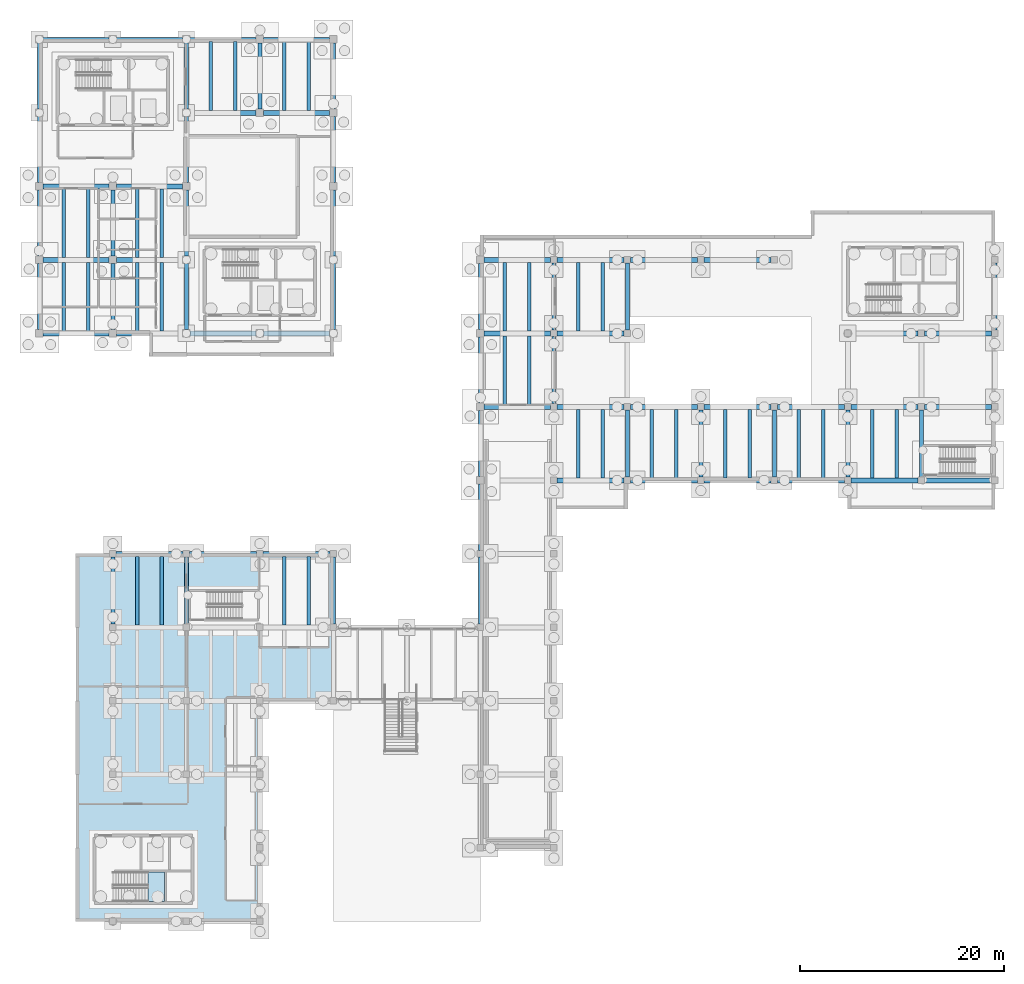
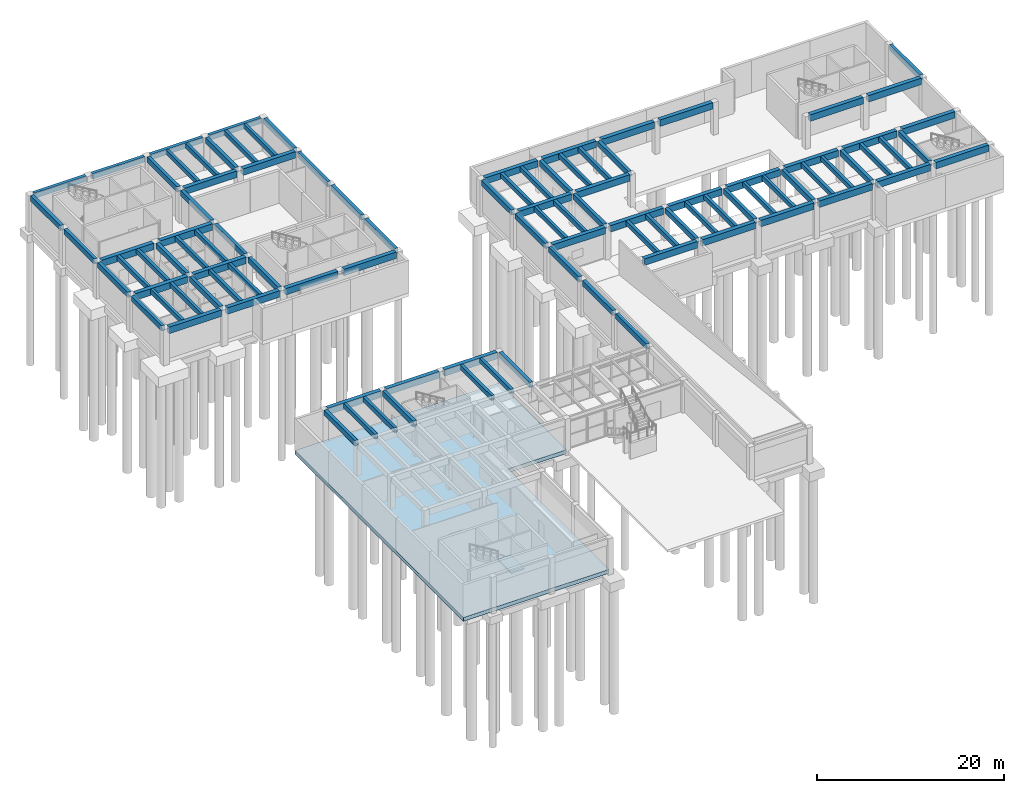
# One storey, part 15 of 28: 102 beams, 2 slabs, 1 element without a shape of its own.
"""IFC4 building model written with IfcOpenShell, lengths in metres."""

from ifc_helpers import new_model, si_unit, direction, frame, origin, origin_2d, place, context, subcontext, project, spatial, polyline, rectangle, outline, extrude, material, layer, layer_set, material_profile, profile_set, type_object, element, aggregate, save


model = new_model("IFC4")

# Units and contexts
model_context = context("Model", 3, precision=1e-05, world=origin(), true_north=direction((0.0, 1.0)))
body_context = subcontext(model_context, "Body", "Model", "MODEL_VIEW")
ifc_project = project(units=[si_unit("LENGTHUNIT", "METRE"), si_unit("AREAUNIT", "SQUARE_METRE"), si_unit("VOLUMEUNIT", "CUBIC_METRE"), si_unit("PLANEANGLEUNIT", "RADIAN"), si_unit("MASSUNIT", "GRAM", prefix="KILO")], contexts=[model_context])

# Site, building, storey
site_placement = place(None, origin())
site = spatial("IfcSite", under=ifc_project, at=site_placement, CompositionType="ELEMENT")
building_placement = place(site_placement, origin())
building = spatial("IfcBuilding", under=site, at=building_placement, Name="Bramvelor Terrace Health Centre", CompositionType="ELEMENT")
storey_placement = place(building_placement, frame((0.0, 0.0, -4.5)))
storey = spatial("IfcBuildingStorey", under=building, at=storey_placement, Name="B1", CompositionType="ELEMENT", Elevation=-4.5)

# Beams
ifc_material_1 = material(Name="Concrete C40/50", Category="concrete")
ifc_material_profile_1 = material_profile(ifc_material_1, rectangle(XDim=0.39990234375, YDim=0.699951171875, at=origin_2d()), Name="RC 400x700")
ifc_profile_set_1 = profile_set([ifc_material_profile_1], Name="Concrete C40/50")
beam_type_1 = type_object("IfcBeamType", Name="BM-RC-G700", PredefinedType="BEAM", material=ifc_profile_set_1)
beam_1_placement = place(storey_placement, frame((7.199951171875, 57.925048828125, 3.89990234375), z_axis=(0.0, 1.0, 0.0), x_axis=(-1.0, 0.0, 0.0)))
element("IfcBeam", 1, at=beam_1_placement, inside=storey, type_object=beam_type_1, Name="B1 Floor Girder", PredefinedType="BEAM", context=body_context, shape_type="SweptSolid", body=[
    extrude(rectangle(XDim=0.39990234375, YDim=0.699951171875, at=origin_2d()), origin(), (0.0, 0.0, 1.0), 6.550048828125),
])
beam_2_placement = place(storey_placement, frame((7.199951171875, 86.77490234375, 3.89990234375), z_axis=(0.0, 1.0, 0.0), x_axis=(-1.0, 0.0, 0.0)))
element("IfcBeam", 2, at=beam_2_placement, inside=storey, type_object=beam_type_1, Name="B1 Floor Girder", PredefinedType="BEAM", context=body_context, shape_type="SweptSolid", body=[
    extrude(rectangle(XDim=0.39990234375, YDim=0.699951171875, at=origin_2d()), origin(), (0.0, 0.0, 1.0), 6.4501953125),
])
beam_3_placement = place(storey_placement, frame((7.199951171875, 93.97509765625, 3.89990234375), z_axis=(0.0, 1.0, 0.0), x_axis=(-1.0, 0.0, 0.0)))
element("IfcBeam", 3, at=beam_3_placement, inside=storey, type_object=beam_type_1, Name="B1 Floor Girder", PredefinedType="BEAM", context=body_context, shape_type="SweptSolid", body=[
    extrude(rectangle(XDim=0.39990234375, YDim=0.699951171875, at=origin_2d()), origin(), (0.0, 0.0, 1.0), 6.449951171875),
])
beam_4_placement = place(storey_placement, frame((14.39990234375, 57.925048828125, 3.89990234375), z_axis=(0.0, 1.0, 0.0), x_axis=(-1.0, 0.0, 0.0)))
element("IfcBeam", 4, at=beam_4_placement, inside=storey, type_object=beam_type_1, Name="B1 Floor Girder", PredefinedType="BEAM", context=body_context, shape_type="SweptSolid", body=[
    extrude(rectangle(XDim=0.39990234375, YDim=0.699951171875, at=origin_2d()), origin(), (0.0, 0.0, 1.0), 6.550048828125),
])
beam_5_placement = place(storey_placement, frame((14.39990234375, 86.77490234375, 3.89990234375), z_axis=(0.0, 1.0, 0.0), x_axis=(-1.0, 0.0, 0.0)))
element("IfcBeam", 5, at=beam_5_placement, inside=storey, type_object=beam_type_1, Name="B1 Floor Girder", PredefinedType="BEAM", context=body_context, shape_type="SweptSolid", body=[
    extrude(rectangle(XDim=0.39990234375, YDim=0.699951171875, at=origin_2d()), origin(), (0.0, 0.0, 1.0), 6.4501953125),
])
for number, where, z_axis, x_axis, name in (
    (6, (14.39990234375, 93.97509765625, 3.89990234375), (0.0, 1.0, 0.0), (-1.0, 0.0, 0.0), "B1 Floor Girder"),
    (7, (14.39990234375, 101.175048828125, 3.89990234375), (0.0, 1.0, 0.0), (-1.0, 0.0, 0.0), "B1 Floor Girder"),
    (8, (14.39990234375, 108.375, 3.89990234375), (0.0, 1.0, 0.0), (-1.0, 0.0, 0.0), "B1 Floor Girder"),
    (9, (21.60009765625, 108.375, 3.89990234375), (0.0, 1.0, 0.0), (-1.0, 0.0, 0.0), "B1 Floor Girder"),
):
    element("IfcBeam", number, at=place(storey_placement, frame(where, z_axis=z_axis, x_axis=x_axis)), inside=storey, type_object=beam_type_1, Name=name, PredefinedType="BEAM", context=body_context, shape_type="SweptSolid", body=[
        extrude(rectangle(XDim=0.39990234375, YDim=0.699951171875, at=origin_2d()), origin(), (0.0, 0.0, 1.0), 6.449951171875),
    ])
beam_6_placement = place(storey_placement, frame((28.800048828125, 57.925048828125, 3.89990234375), z_axis=(0.0, 1.0, 0.0), x_axis=(-1.0, 0.0, 0.0)))
element("IfcBeam", 10, at=beam_6_placement, inside=storey, type_object=beam_type_1, Name="B1 Floor Girder", PredefinedType="BEAM", context=body_context, shape_type="SweptSolid", body=[
    extrude(rectangle(XDim=0.39990234375, YDim=0.699951171875, at=origin_2d()), origin(), (0.0, 0.0, 1.0), 6.550048828125),
])
beam_7_placement = place(storey_placement, frame((28.800048828125, 86.77490234375, 3.89990234375), z_axis=(0.0, 1.0, 0.0), x_axis=(-1.0, 0.0, 0.0)))
element("IfcBeam", 11, at=beam_7_placement, inside=storey, type_object=beam_type_1, Name="B1 Floor Girder", PredefinedType="BEAM", context=body_context, shape_type="SweptSolid", body=[
    extrude(rectangle(XDim=0.39990234375, YDim=0.699951171875, at=origin_2d()), origin(), (0.0, 0.0, 1.0), 6.4501953125),
])
for number, where, z_axis, x_axis, name in (
    (12, (28.800048828125, 93.97509765625, 3.89990234375), (0.0, 1.0, 0.0), (-1.0, 0.0, 0.0), "B1 Floor Girder"),
    (13, (28.800048828125, 101.175048828125, 3.89990234375), (0.0, 1.0, 0.0), (-1.0, 0.0, 0.0), "B1 Floor Girder"),
    (14, (28.800048828125, 108.375, 3.89990234375), (0.0, 1.0, 0.0), (-1.0, 0.0, 0.0), "B1 Floor Girder"),
):
    element("IfcBeam", number, at=place(storey_placement, frame(where, z_axis=z_axis, x_axis=x_axis)), inside=storey, type_object=beam_type_1, Name=name, PredefinedType="BEAM", context=body_context, shape_type="SweptSolid", body=[
        extrude(rectangle(XDim=0.39990234375, YDim=0.699951171875, at=origin_2d()), origin(), (0.0, 0.0, 1.0), 6.449951171875),
    ])
beam_8_placement = place(storey_placement, frame((43.199951171875, 57.925048828125, 3.89990234375), z_axis=(0.0, 1.0, 0.0), x_axis=(-1.0, 0.0, 0.0)))
element("IfcBeam", 15, at=beam_8_placement, inside=storey, type_object=beam_type_1, Name="B1 Floor Girder", PredefinedType="BEAM", context=body_context, shape_type="SweptSolid", body=[
    extrude(rectangle(XDim=0.39990234375, YDim=0.699951171875, at=origin_2d()), origin(), (0.0, 0.0, 1.0), 6.550048828125),
])
beam_9_placement = place(storey_placement, frame((43.199951171875, 65.125, 3.89990234375), z_axis=(0.0, 1.0, 0.0), x_axis=(-1.0, 0.0, 0.0)))
element("IfcBeam", 16, at=beam_9_placement, inside=storey, type_object=beam_type_1, Name="B1 Floor Girder", PredefinedType="BEAM", context=body_context, shape_type="SweptSolid", body=[
    extrude(rectangle(XDim=0.39990234375, YDim=0.699951171875, at=origin_2d()), origin(), (0.0, 0.0, 1.0), 6.5),
])
for number, where, z_axis, x_axis, name in (
    (17, (43.199951171875, 72.375, 3.89990234375), (0.0, 1.0, 0.0), (-1.0, 0.0, 0.0), "B1 Floor Girder"),
    (18, (43.199951171875, 79.574951171875, 3.89990234375), (0.0, 1.0, 0.0), (-1.0, 0.0, 0.0), "B1 Floor Girder"),
):
    element("IfcBeam", number, at=place(storey_placement, frame(where, z_axis=z_axis, x_axis=x_axis)), inside=storey, type_object=beam_type_1, Name=name, PredefinedType="BEAM", context=body_context, shape_type="SweptSolid", body=[
        extrude(rectangle(XDim=0.39990234375, YDim=0.699951171875, at=origin_2d()), origin(), (0.0, 0.0, 1.0), 6.449951171875),
    ])
beam_10_placement = place(storey_placement, frame((43.199951171875, 86.77490234375, 3.89990234375), z_axis=(0.0, 1.0, 0.0), x_axis=(-1.0, 0.0, 0.0)))
element("IfcBeam", 19, at=beam_10_placement, inside=storey, type_object=beam_type_1, Name="B1 Floor Girder", PredefinedType="BEAM", context=body_context, shape_type="SweptSolid", body=[
    extrude(rectangle(XDim=0.39990234375, YDim=0.699951171875, at=origin_2d()), origin(), (0.0, 0.0, 1.0), 6.4501953125),
])
beam_11_placement = place(storey_placement, frame((50.39990234375, 79.52490234375, 3.89990234375), z_axis=(0.0, 1.0, 0.0), x_axis=(-1.0, 0.0, 0.0)))
element("IfcBeam", 20, at=beam_11_placement, inside=storey, type_object=beam_type_1, Name="B1 Floor Girder", PredefinedType="BEAM", context=body_context, shape_type="SweptSolid", body=[
    extrude(rectangle(XDim=0.39990234375, YDim=0.699951171875, at=origin_2d()), origin(), (0.0, 0.0, 1.0), 6.550048828125),
])
beam_12_placement = place(storey_placement, frame((50.39990234375, 86.72509765625, 3.89990234375), z_axis=(0.0, 1.0, 0.0), x_axis=(-1.0, 0.0, 0.0)))
element("IfcBeam", 21, at=beam_12_placement, inside=storey, type_object=beam_type_1, Name="B1 Floor Girder", PredefinedType="BEAM", context=body_context, shape_type="SweptSolid", body=[
    extrude(rectangle(XDim=0.39990234375, YDim=0.699951171875, at=origin_2d()), origin(), (0.0, 0.0, 1.0), 6.5498046875),
])
beam_13_placement = place(storey_placement, frame((57.60009765625, 72.324951171875, 3.89990234375), z_axis=(0.0, 1.0, 0.0), x_axis=(-1.0, 0.0, 0.0)))
element("IfcBeam", 22, at=beam_13_placement, inside=storey, type_object=beam_type_1, Name="B1 Floor Girder", PredefinedType="BEAM", context=body_context, shape_type="SweptSolid", body=[
    extrude(rectangle(XDim=0.39990234375, YDim=0.699951171875, at=origin_2d()), origin(), (0.0, 0.0, 1.0), 6.550048828125),
])
beam_14_placement = place(storey_placement, frame((57.60009765625, 86.72509765625, 3.89990234375), z_axis=(0.0, 1.0, 0.0), x_axis=(-1.0, 0.0, 0.0)))
element("IfcBeam", 23, at=beam_14_placement, inside=storey, type_object=beam_type_1, Name="B1 Floor Girder", PredefinedType="BEAM", context=body_context, shape_type="SweptSolid", body=[
    extrude(rectangle(XDim=0.39990234375, YDim=0.699951171875, at=origin_2d()), origin(), (0.0, 0.0, 1.0), 6.5498046875),
])
for number, where, z_axis, x_axis, name in (
    (24, (64.800048828125, 72.324951171875, 3.89990234375), (0.0, 1.0, 0.0), (-1.0, 0.0, 0.0), "B1 Floor Girder"),
    (25, (72.0, 72.324951171875, 3.89990234375), (0.0, 1.0, 0.0), (-1.0, 0.0, 0.0), "B1 Floor Girder"),
    (26, (79.199951171875, 72.324951171875, 3.89990234375), (0.0, 1.0, 0.0), (-1.0, 0.0, 0.0), "B1 Floor Girder"),
    (27, (86.39990234375, 72.324951171875, 3.89990234375), (0.0, 1.0, 0.0), (-1.0, 0.0, 0.0), "B1 Floor Girder"),
):
    element("IfcBeam", number, at=place(storey_placement, frame(where, z_axis=z_axis, x_axis=x_axis)), inside=storey, type_object=beam_type_1, Name=name, PredefinedType="BEAM", context=body_context, shape_type="SweptSolid", body=[
        extrude(rectangle(XDim=0.39990234375, YDim=0.699951171875, at=origin_2d()), origin(), (0.0, 0.0, 1.0), 6.550048828125),
    ])
beam_15_placement = place(storey_placement, frame((93.60009765625, 86.72509765625, 3.89990234375), z_axis=(0.0, 1.0, 0.0), x_axis=(-1.0, 0.0, 0.0)))
element("IfcBeam", 28, at=beam_15_placement, inside=storey, type_object=beam_type_1, Name="B1 Floor Girder", PredefinedType="BEAM", context=body_context, shape_type="SweptSolid", body=[
    extrude(rectangle(XDim=0.39990234375, YDim=0.699951171875, at=origin_2d()), origin(), (0.0, 0.0, 1.0), 6.5498046875),
])
ifc_material_2 = material(Name="Concrete C40/50", Category="concrete")
ifc_material_profile_2 = material_profile(ifc_material_2, rectangle(XDim=0.5, YDim=0.85009765625, at=origin_2d()), Name="RC 500x850")
ifc_profile_set_2 = profile_set([ifc_material_profile_2], Name="Concrete C40/50")
beam_type_2 = type_object("IfcBeamType", Name="BM-RC-G850", PredefinedType="BEAM", material=ifc_profile_set_2)
for number, where, z_axis, x_axis, name in (
    (29, (0.375, 86.39990234375, 3.824951171875), (1.0, 0.0, 0.0), (0.0, 1.0, 0.0), "B1 Floor Girder"),
    (30, (0.375, 93.60009765625, 3.824951171875), (1.0, 0.0, 0.0), (0.0, 1.0, 0.0), "B1 Floor Girder"),
    (31, (0.375, 100.800048828125, 3.824951171875), (1.0, 0.0, 0.0), (0.0, 1.0, 0.0), "B1 Floor Girder"),
):
    element("IfcBeam", number, at=place(storey_placement, frame(where, z_axis=z_axis, x_axis=x_axis)), inside=storey, type_object=beam_type_2, Name=name, PredefinedType="BEAM", context=body_context, shape_type="SweptSolid", body=[
        extrude(rectangle(XDim=0.5, YDim=0.85009765625, at=origin_2d()), origin(), (0.0, 0.0, 1.0), 6.449951171875),
    ])
beam_16_placement = place(storey_placement, frame((7.52490234375, 64.800048828125, 3.824951171875), z_axis=(1.0, 0.0, 0.0), x_axis=(0.0, 1.0, 0.0)))
element("IfcBeam", 32, at=beam_16_placement, inside=storey, type_object=beam_type_2, Name="B1 Floor Girder", PredefinedType="BEAM", context=body_context, shape_type="SweptSolid", body=[
    extrude(rectangle(XDim=0.5, YDim=0.85009765625, at=origin_2d()), origin(), (0.0, 0.0, 1.0), 6.550048828125),
])
for number, where, z_axis, x_axis, name in (
    (33, (7.574951171875, 86.39990234375, 3.824951171875), (1.0, 0.0, 0.0), (0.0, 1.0, 0.0), "B1 Floor Girder"),
    (34, (7.574951171875, 93.60009765625, 3.824951171875), (1.0, 0.0, 0.0), (0.0, 1.0, 0.0), "B1 Floor Girder"),
    (35, (7.574951171875, 100.800048828125, 3.824951171875), (1.0, 0.0, 0.0), (0.0, 1.0, 0.0), "B1 Floor Girder"),
):
    element("IfcBeam", number, at=place(storey_placement, frame(where, z_axis=z_axis, x_axis=x_axis)), inside=storey, type_object=beam_type_2, Name=name, PredefinedType="BEAM", context=body_context, shape_type="SweptSolid", body=[
        extrude(rectangle(XDim=0.5, YDim=0.85009765625, at=origin_2d()), origin(), (0.0, 0.0, 1.0), 6.449951171875),
    ])
beam_17_placement = place(storey_placement, frame((14.72509765625, 64.800048828125, 3.824951171875), z_axis=(1.0, 0.0, 0.0), x_axis=(0.0, 1.0, 0.0)))
element("IfcBeam", 36, at=beam_17_placement, inside=storey, type_object=beam_type_2, Name="B1 Floor Girder", PredefinedType="BEAM", context=body_context, shape_type="SweptSolid", body=[
    extrude(rectangle(XDim=0.5, YDim=0.85009765625, at=origin_2d()), origin(), (0.0, 0.0, 1.0), 6.5498046875),
])
for number, where, z_axis, x_axis, name in (
    (37, (14.77490234375, 86.39990234375, 3.824951171875), (1.0, 0.0, 0.0), (0.0, 1.0, 0.0), "B1 Floor Girder"),
    (38, (14.77490234375, 108.0, 3.824951171875), (1.0, 0.0, 0.0), (0.0, 1.0, 0.0), "B1 Floor Girder"),
):
    element("IfcBeam", number, at=place(storey_placement, frame(where, z_axis=z_axis, x_axis=x_axis)), inside=storey, type_object=beam_type_2, Name=name, PredefinedType="BEAM", context=body_context, shape_type="SweptSolid", body=[
        extrude(rectangle(XDim=0.5, YDim=0.85009765625, at=origin_2d()), origin(), (0.0, 0.0, 1.0), 6.4501953125),
    ])
beam_18_placement = place(storey_placement, frame((21.925048828125, 64.800048828125, 3.824951171875), z_axis=(1.0, 0.0, 0.0), x_axis=(0.0, 1.0, 0.0)))
element("IfcBeam", 39, at=beam_18_placement, inside=storey, type_object=beam_type_2, Name="B1 Floor Girder", PredefinedType="BEAM", context=body_context, shape_type="SweptSolid", body=[
    extrude(rectangle(XDim=0.5, YDim=0.85009765625, at=origin_2d()), origin(), (0.0, 0.0, 1.0), 6.550048828125),
])
for number, where, z_axis, x_axis, name in (
    (40, (21.97509765625, 86.39990234375, 3.824951171875), (1.0, 0.0, 0.0), (0.0, 1.0, 0.0), "B1 Floor Girder"),
    (41, (21.97509765625, 108.0, 3.824951171875), (1.0, 0.0, 0.0), (0.0, 1.0, 0.0), "B1 Floor Girder"),
):
    element("IfcBeam", number, at=place(storey_placement, frame(where, z_axis=z_axis, x_axis=x_axis)), inside=storey, type_object=beam_type_2, Name=name, PredefinedType="BEAM", context=body_context, shape_type="SweptSolid", body=[
        extrude(rectangle(XDim=0.5, YDim=0.85009765625, at=origin_2d()), origin(), (0.0, 0.0, 1.0), 6.449951171875),
    ])
for number, where, z_axis, x_axis, name in (
    (42, (43.574951171875, 79.199951171875, 3.824951171875), (1.0, 0.0, 0.0), (0.0, 1.0, 0.0), "B1 Floor Girder"),
    (43, (43.574951171875, 86.39990234375, 3.824951171875), (1.0, 0.0, 0.0), (0.0, 1.0, 0.0), "B1 Floor Girder"),
    (44, (43.574951171875, 93.60009765625, 3.824951171875), (1.0, 0.0, 0.0), (0.0, 1.0, 0.0), "B1 Floor Girder"),
):
    element("IfcBeam", number, at=place(storey_placement, frame(where, z_axis=z_axis, x_axis=x_axis)), inside=storey, type_object=beam_type_2, Name=name, PredefinedType="BEAM", context=body_context, shape_type="SweptSolid", body=[
        extrude(rectangle(XDim=0.5, YDim=0.85009765625, at=origin_2d()), origin(), (0.0, 0.0, 1.0), 6.5),
    ])
for number, where, z_axis, x_axis, name in (
    (45, (50.72509765625, 72.0, 3.824951171875), (1.0, 0.0, 0.0), (0.0, 1.0, 0.0), "B1 Floor Girder"),
    (46, (50.72509765625, 79.199951171875, 3.824951171875), (1.0, 0.0, 0.0), (0.0, 1.0, 0.0), "B1 Floor Girder"),
    (47, (50.72509765625, 86.39990234375, 3.824951171875), (1.0, 0.0, 0.0), (0.0, 1.0, 0.0), "B1 Floor Girder"),
    (48, (50.72509765625, 93.60009765625, 3.824951171875), (1.0, 0.0, 0.0), (0.0, 1.0, 0.0), "B1 Floor Girder"),
):
    element("IfcBeam", number, at=place(storey_placement, frame(where, z_axis=z_axis, x_axis=x_axis)), inside=storey, type_object=beam_type_2, Name=name, PredefinedType="BEAM", context=body_context, shape_type="SweptSolid", body=[
        extrude(rectangle(XDim=0.5, YDim=0.85009765625, at=origin_2d()), origin(), (0.0, 0.0, 1.0), 6.5498046875),
    ])
for number, where, z_axis, x_axis, name in (
    (49, (57.925048828125, 72.0, 3.824951171875), (1.0, 0.0, 0.0), (0.0, 1.0, 0.0), "B1 Floor Girder"),
    (50, (57.925048828125, 79.199951171875, 3.824951171875), (1.0, 0.0, 0.0), (0.0, 1.0, 0.0), "B1 Floor Girder"),
    (51, (57.925048828125, 93.60009765625, 3.824951171875), (1.0, 0.0, 0.0), (0.0, 1.0, 0.0), "B1 Floor Girder"),
    (52, (65.125, 72.0, 3.824951171875), (1.0, 0.0, 0.0), (0.0, 1.0, 0.0), "B1 Floor Girder"),
    (53, (65.125, 79.199951171875, 3.824951171875), (1.0, 0.0, 0.0), (0.0, 1.0, 0.0), "B1 Floor Girder"),
    (54, (65.125, 93.60009765625, 3.824951171875), (1.0, 0.0, 0.0), (0.0, 1.0, 0.0), "B1 Floor Girder"),
    (55, (72.324951171875, 72.0, 3.824951171875), (1.0, 0.0, 0.0), (0.0, 1.0, 0.0), "B1 Floor Girder"),
    (56, (72.324951171875, 79.199951171875, 3.824951171875), (1.0, 0.0, 0.0), (0.0, 1.0, 0.0), "B1 Floor Girder"),
    (57, (79.52490234375, 72.0, 3.824951171875), (1.0, 0.0, 0.0), (0.0, 1.0, 0.0), "B1 Floor Girder"),
    (58, (79.52490234375, 79.199951171875, 3.824951171875), (1.0, 0.0, 0.0), (0.0, 1.0, 0.0), "B1 Floor Girder"),
    (59, (79.52490234375, 86.39990234375, 3.824951171875), (1.0, 0.0, 0.0), (0.0, 1.0, 0.0), "B1 Floor Girder"),
):
    element("IfcBeam", number, at=place(storey_placement, frame(where, z_axis=z_axis, x_axis=x_axis)), inside=storey, type_object=beam_type_2, Name=name, PredefinedType="BEAM", context=body_context, shape_type="SweptSolid", body=[
        extrude(rectangle(XDim=0.5, YDim=0.85009765625, at=origin_2d()), origin(), (0.0, 0.0, 1.0), 6.550048828125),
    ])
for number, where, z_axis, x_axis, name in (
    (60, (86.72509765625, 72.0, 3.824951171875), (1.0, 0.0, 0.0), (0.0, 1.0, 0.0), "B1 Floor Girder"),
    (61, (86.72509765625, 79.199951171875, 3.824951171875), (1.0, 0.0, 0.0), (0.0, 1.0, 0.0), "B1 Floor Girder"),
    (62, (86.72509765625, 86.39990234375, 3.824951171875), (1.0, 0.0, 0.0), (0.0, 1.0, 0.0), "B1 Floor Girder"),
):
    element("IfcBeam", number, at=place(storey_placement, frame(where, z_axis=z_axis, x_axis=x_axis)), inside=storey, type_object=beam_type_2, Name=name, PredefinedType="BEAM", context=body_context, shape_type="SweptSolid", body=[
        extrude(rectangle(XDim=0.5, YDim=0.85009765625, at=origin_2d()), origin(), (0.0, 0.0, 1.0), 6.5498046875),
    ])
ifc_material_3 = material(Name="Concrete C40/50", Category="concrete")
ifc_material_profile_3 = material_profile(ifc_material_3, rectangle(XDim=0.35009765625, YDim=0.60009765625, at=origin_2d()), Name="RC 350x600")
ifc_profile_set_3 = profile_set([ifc_material_profile_3], Name="Concrete C40/50")
beam_type_3 = type_object("IfcBeamType", Name="BM-RC-J600", PredefinedType="JOIST", material=ifc_profile_set_3)
for number, where, z_axis, x_axis, name in (
    (63, (2.39990234375, 86.64990234375, 3.949951171875), (0.0, 1.0, 0.0), (-1.0, 0.0, 0.0), "B1 Secondary Floor Joist"),
    (64, (4.800048828125, 86.64990234375, 3.949951171875), (0.0, 1.0, 0.0), (-1.0, 0.0, 0.0), "B1 Secondary Floor Joist"),
):
    element("IfcBeam", number, at=place(storey_placement, frame(where, z_axis=z_axis, x_axis=x_axis)), inside=storey, type_object=beam_type_3, Name=name, PredefinedType="JOIST", context=body_context, shape_type="SweptSolid", body=[
        extrude(rectangle(XDim=0.35009765625, YDim=0.60009765625, at=origin_2d()), origin(), (0.0, 0.0, 1.0), 6.7001953125),
    ])
for number, where, z_axis, x_axis, name in (
    (65, (2.39990234375, 93.85009765625, 3.949951171875), (0.0, 1.0, 0.0), (-1.0, 0.0, 0.0), "B1 Secondary Floor Joist"),
    (66, (4.800048828125, 93.85009765625, 3.949951171875), (0.0, 1.0, 0.0), (-1.0, 0.0, 0.0), "B1 Secondary Floor Joist"),
    (67, (9.60009765625, 57.85009765625, 3.949951171875), (0.0, 1.0, 0.0), (-1.0, 0.0, 0.0), "B1 Secondary Floor Joist"),
    (68, (12.0, 57.85009765625, 3.949951171875), (0.0, 1.0, 0.0), (-1.0, 0.0, 0.0), "B1 Secondary Floor Joist"),
):
    element("IfcBeam", number, at=place(storey_placement, frame(where, z_axis=z_axis, x_axis=x_axis)), inside=storey, type_object=beam_type_3, Name=name, PredefinedType="JOIST", context=body_context, shape_type="SweptSolid", body=[
        extrude(rectangle(XDim=0.35009765625, YDim=0.60009765625, at=origin_2d()), origin(), (0.0, 0.0, 1.0), 6.699951171875),
    ])
for number, where, z_axis, x_axis, name in (
    (69, (9.60009765625, 86.64990234375, 3.949951171875), (0.0, 1.0, 0.0), (-1.0, 0.0, 0.0), "B1 Secondary Floor Joist"),
    (70, (12.0, 86.64990234375, 3.949951171875), (0.0, 1.0, 0.0), (-1.0, 0.0, 0.0), "B1 Secondary Floor Joist"),
):
    element("IfcBeam", number, at=place(storey_placement, frame(where, z_axis=z_axis, x_axis=x_axis)), inside=storey, type_object=beam_type_3, Name=name, PredefinedType="JOIST", context=body_context, shape_type="SweptSolid", body=[
        extrude(rectangle(XDim=0.35009765625, YDim=0.60009765625, at=origin_2d()), origin(), (0.0, 0.0, 1.0), 6.7001953125),
    ])
for number, where, z_axis, x_axis, name in (
    (71, (9.60009765625, 93.85009765625, 3.949951171875), (0.0, 1.0, 0.0), (-1.0, 0.0, 0.0), "B1 Secondary Floor Joist"),
    (72, (12.0, 93.85009765625, 3.949951171875), (0.0, 1.0, 0.0), (-1.0, 0.0, 0.0), "B1 Secondary Floor Joist"),
):
    element("IfcBeam", number, at=place(storey_placement, frame(where, z_axis=z_axis, x_axis=x_axis)), inside=storey, type_object=beam_type_3, Name=name, PredefinedType="JOIST", context=body_context, shape_type="SweptSolid", body=[
        extrude(rectangle(XDim=0.35009765625, YDim=0.60009765625, at=origin_2d()), origin(), (0.0, 0.0, 1.0), 6.699951171875),
    ])
for number, where, z_axis, x_axis, name in (
    (73, (16.800048828125, 108.25, 3.949951171875), (0.0, 1.0, 0.0), (-1.0, 0.0, 0.0), "B1 Secondary Floor Joist"),
    (74, (19.199951171875, 108.25, 3.949951171875), (0.0, 1.0, 0.0), (-1.0, 0.0, 0.0), "B1 Secondary Floor Joist"),
):
    element("IfcBeam", number, at=place(storey_placement, frame(where, z_axis=z_axis, x_axis=x_axis)), inside=storey, type_object=beam_type_3, Name=name, PredefinedType="JOIST", context=body_context, shape_type="SweptSolid", body=[
        extrude(rectangle(XDim=0.35009765625, YDim=0.60009765625, at=origin_2d()), origin(), (0.0, 0.0, 1.0), 6.75),
    ])
for number, where, z_axis, x_axis, name in (
    (75, (24.0, 57.85009765625, 3.949951171875), (0.0, 1.0, 0.0), (-1.0, 0.0, 0.0), "B1 Secondary Floor Joist"),
    (76, (26.39990234375, 57.85009765625, 3.949951171875), (0.0, 1.0, 0.0), (-1.0, 0.0, 0.0), "B1 Secondary Floor Joist"),
):
    element("IfcBeam", number, at=place(storey_placement, frame(where, z_axis=z_axis, x_axis=x_axis)), inside=storey, type_object=beam_type_3, Name=name, PredefinedType="JOIST", context=body_context, shape_type="SweptSolid", body=[
        extrude(rectangle(XDim=0.35009765625, YDim=0.60009765625, at=origin_2d()), origin(), (0.0, 0.0, 1.0), 6.699951171875),
    ])
for number, where, z_axis, x_axis, name in (
    (77, (24.0, 108.25, 3.949951171875), (0.0, 1.0, 0.0), (-1.0, 0.0, 0.0), "B1 Secondary Floor Joist"),
    (78, (26.39990234375, 108.25, 3.949951171875), (0.0, 1.0, 0.0), (-1.0, 0.0, 0.0), "B1 Secondary Floor Joist"),
):
    element("IfcBeam", number, at=place(storey_placement, frame(where, z_axis=z_axis, x_axis=x_axis)), inside=storey, type_object=beam_type_3, Name=name, PredefinedType="JOIST", context=body_context, shape_type="SweptSolid", body=[
        extrude(rectangle(XDim=0.35009765625, YDim=0.60009765625, at=origin_2d()), origin(), (0.0, 0.0, 1.0), 6.75),
    ])
for number, where, z_axis, x_axis, name in (
    (79, (45.60009765625, 79.449951171875, 3.949951171875), (0.0, 1.0, 0.0), (-1.0, 0.0, 0.0), "B1 Secondary Floor Joist"),
    (80, (48.0, 79.449951171875, 3.949951171875), (0.0, 1.0, 0.0), (-1.0, 0.0, 0.0), "B1 Secondary Floor Joist"),
):
    element("IfcBeam", number, at=place(storey_placement, frame(where, z_axis=z_axis, x_axis=x_axis)), inside=storey, type_object=beam_type_3, Name=name, PredefinedType="JOIST", context=body_context, shape_type="SweptSolid", body=[
        extrude(rectangle(XDim=0.35009765625, YDim=0.60009765625, at=origin_2d()), origin(), (0.0, 0.0, 1.0), 6.699951171875),
    ])
for number, where, z_axis, x_axis, name in (
    (81, (45.60009765625, 86.64990234375, 3.949951171875), (0.0, 1.0, 0.0), (-1.0, 0.0, 0.0), "B1 Secondary Floor Joist"),
    (82, (48.0, 86.64990234375, 3.949951171875), (0.0, 1.0, 0.0), (-1.0, 0.0, 0.0), "B1 Secondary Floor Joist"),
):
    element("IfcBeam", number, at=place(storey_placement, frame(where, z_axis=z_axis, x_axis=x_axis)), inside=storey, type_object=beam_type_3, Name=name, PredefinedType="JOIST", context=body_context, shape_type="SweptSolid", body=[
        extrude(rectangle(XDim=0.35009765625, YDim=0.60009765625, at=origin_2d()), origin(), (0.0, 0.0, 1.0), 6.7001953125),
    ])
for number, where, z_axis, x_axis, name in (
    (83, (52.800048828125, 72.25, 3.949951171875), (0.0, 1.0, 0.0), (-1.0, 0.0, 0.0), "B1 Secondary Floor Joist"),
    (84, (55.199951171875, 72.25, 3.949951171875), (0.0, 1.0, 0.0), (-1.0, 0.0, 0.0), "B1 Secondary Floor Joist"),
):
    element("IfcBeam", number, at=place(storey_placement, frame(where, z_axis=z_axis, x_axis=x_axis)), inside=storey, type_object=beam_type_3, Name=name, PredefinedType="JOIST", context=body_context, shape_type="SweptSolid", body=[
        extrude(rectangle(XDim=0.35009765625, YDim=0.60009765625, at=origin_2d()), origin(), (0.0, 0.0, 1.0), 6.699951171875),
    ])
for number, where, z_axis, x_axis, name in (
    (85, (52.800048828125, 86.64990234375, 3.949951171875), (0.0, 1.0, 0.0), (-1.0, 0.0, 0.0), "B1 Secondary Floor Joist"),
    (86, (55.199951171875, 86.64990234375, 3.949951171875), (0.0, 1.0, 0.0), (-1.0, 0.0, 0.0), "B1 Secondary Floor Joist"),
):
    element("IfcBeam", number, at=place(storey_placement, frame(where, z_axis=z_axis, x_axis=x_axis)), inside=storey, type_object=beam_type_3, Name=name, PredefinedType="JOIST", context=body_context, shape_type="SweptSolid", body=[
        extrude(rectangle(XDim=0.35009765625, YDim=0.60009765625, at=origin_2d()), origin(), (0.0, 0.0, 1.0), 6.7001953125),
    ])
for number, where, z_axis, x_axis, name in (
    (87, (60.0, 72.25, 3.949951171875), (0.0, 1.0, 0.0), (-1.0, 0.0, 0.0), "B1 Secondary Floor Joist"),
    (88, (62.39990234375, 72.25, 3.949951171875), (0.0, 1.0, 0.0), (-1.0, 0.0, 0.0), "B1 Secondary Floor Joist"),
    (89, (67.199951171875, 72.25, 3.949951171875), (0.0, 1.0, 0.0), (-1.0, 0.0, 0.0), "B1 Secondary Floor Joist"),
    (90, (69.60009765625, 72.25, 3.949951171875), (0.0, 1.0, 0.0), (-1.0, 0.0, 0.0), "B1 Secondary Floor Joist"),
    (91, (74.39990234375, 72.25, 3.949951171875), (0.0, 1.0, 0.0), (-1.0, 0.0, 0.0), "B1 Secondary Floor Joist"),
    (92, (76.800048828125, 72.25, 3.949951171875), (0.0, 1.0, 0.0), (-1.0, 0.0, 0.0), "B1 Secondary Floor Joist"),
    (93, (81.60009765625, 72.25, 3.949951171875), (0.0, 1.0, 0.0), (-1.0, 0.0, 0.0), "B1 Secondary Floor Joist"),
    (94, (84.0, 72.25, 3.949951171875), (0.0, 1.0, 0.0), (-1.0, 0.0, 0.0), "B1 Secondary Floor Joist"),
):
    element("IfcBeam", number, at=place(storey_placement, frame(where, z_axis=z_axis, x_axis=x_axis)), inside=storey, type_object=beam_type_3, Name=name, PredefinedType="JOIST", context=body_context, shape_type="SweptSolid", body=[
        extrude(rectangle(XDim=0.35009765625, YDim=0.60009765625, at=origin_2d()), origin(), (0.0, 0.0, 1.0), 6.699951171875),
    ])
ifc_material_4 = material(Name="Concrete C40/50", Category="concrete")
ifc_material_profile_4 = material_profile(ifc_material_4, rectangle(XDim=0.39990234375, YDim=0.699951171875, at=origin_2d()), Name="RC 400x700")
ifc_profile_set_4 = profile_set([ifc_material_profile_4], Name="Concrete C40/50")
beam_type_4 = type_object("IfcBeamType", Name="BM-RC-SP700-EXT", PredefinedType="SPANDREL", material=ifc_profile_set_4)
beam_19_placement = place(storey_placement, frame((0.0, 86.77490234375, 3.89990234375), z_axis=(0.0, 1.0, 0.0), x_axis=(-1.0, 0.0, 0.0)))
element("IfcBeam", 95, at=beam_19_placement, inside=storey, type_object=beam_type_4, Name="B1 Floor Girder", PredefinedType="SPANDREL", context=body_context, shape_type="SweptSolid", body=[
    extrude(rectangle(XDim=0.39990234375, YDim=0.699951171875, at=origin_2d()), origin(), (0.0, 0.0, 1.0), 6.4501953125),
])
for number, where, z_axis, x_axis, name in (
    (96, (0.0, 93.97509765625, 3.89990234375), (0.0, 1.0, 0.0), (-1.0, 0.0, 0.0), "B1 Floor Girder"),
    (97, (0.0, 101.175048828125, 3.89990234375), (0.0, 1.0, 0.0), (-1.0, 0.0, 0.0), "B1 Floor Girder"),
    (98, (0.0, 108.375, 3.89990234375), (0.0, 1.0, 0.0), (-1.0, 0.0, 0.0), "B1 Floor Girder"),
    (99, (0.375, 115.199951171875, 3.89990234375), (1.0, 0.0, 0.0), (0.0, 1.0, 0.0), "B1 Floor Girder"),
    (100, (7.574951171875, 115.199951171875, 3.89990234375), (1.0, 0.0, 0.0), (0.0, 1.0, 0.0), "B1 Floor Girder"),
):
    element("IfcBeam", number, at=place(storey_placement, frame(where, z_axis=z_axis, x_axis=x_axis)), inside=storey, type_object=beam_type_4, Name=name, PredefinedType="SPANDREL", context=body_context, shape_type="SweptSolid", body=[
        extrude(rectangle(XDim=0.39990234375, YDim=0.699951171875, at=origin_2d()), origin(), (0.0, 0.0, 1.0), 6.449951171875),
    ])
beam_20_placement = place(storey_placement, frame((14.77490234375, 115.199951171875, 3.89990234375), z_axis=(1.0, 0.0, 0.0), x_axis=(0.0, 1.0, 0.0)))
element("IfcBeam", 101, at=beam_20_placement, inside=storey, type_object=beam_type_4, Name="B1 Floor Girder", PredefinedType="SPANDREL", context=body_context, shape_type="SweptSolid", body=[
    extrude(rectangle(XDim=0.39990234375, YDim=0.699951171875, at=origin_2d()), origin(), (0.0, 0.0, 1.0), 6.4501953125),
])
beam_21_placement = place(storey_placement, frame((21.97509765625, 115.199951171875, 3.89990234375), z_axis=(1.0, 0.0, 0.0), x_axis=(0.0, 1.0, 0.0)))
element("IfcBeam", 102, at=beam_21_placement, inside=storey, type_object=beam_type_4, Name="B1 Floor Girder", PredefinedType="SPANDREL", context=body_context, shape_type="SweptSolid", body=[
    extrude(rectangle(XDim=0.39990234375, YDim=0.699951171875, at=origin_2d()), origin(), (0.0, 0.0, 1.0), 6.449951171875),
])

# Slab
ifc_material_5 = material(Name="Concrete C40/50", Category="concrete")
ifc_layer_1 = layer(ifc_material_5, 0.5)
ifc_layer_set_1 = layer_set([ifc_layer_1], Name="Concrete C40/50")
slab_type_1 = type_object("IfcSlabType", Name="SLB-BASE-500", PredefinedType="BASESLAB", material=ifc_layer_set_1)
slab_1_placement = place(storey_placement, frame((0.0, 0.0, -0.5)))
element("IfcSlab", 103, at=slab_1_placement, inside=storey, type_object=slab_type_1, Name="B1 V6 Base Slab", PredefinedType="BASESLAB", context=body_context, shape_type="SweptSolid", body=[
    extrude(outline(polyline([(21.60009765625, 28.800048828125), (3.60009765625, 28.800048828125), (3.60009765625, 64.800048828125), (21.60009765625, 64.800048828125), (28.800048828125, 64.800048828125), (28.800048828125, 50.39990234375), (21.60009765625, 50.39990234375), (21.60009765625, 28.800048828125)])), origin(), (0.0, 0.0, 1.0), 0.5),
])

# Stair, slab
ifc_material_6 = material(Name="Concrete C40/50", Category="concrete")
stair_type = type_object("IfcStairType", Name="STR-CORE", PredefinedType="HALF_TURN_STAIR", material=ifc_material_6)
stair_placement = place(storey_placement, origin())
stair = element("IfcStair", 104, at=stair_placement, inside=storey, type_object=stair_type, Name="B1 C3 Primary Fire Stair", PredefinedType="HALF_TURN_STAIR")
ifc_material_7 = material(Name="Concrete C40/50", Category="concrete")
ifc_layer_2 = layer(ifc_material_7, 0.199951171875)
ifc_layer_set_2 = layer_set([ifc_layer_2], Name="Concrete C40/50")
slab_type_2 = type_object("IfcSlabType", Name="SLB-LND-200", PredefinedType="LANDING", material=ifc_layer_set_2)
slab_2_placement = place(storey_placement, frame((0.0, 0.0, 2.050048828125)))
slab_2 = element("IfcSlab", 105, at=slab_2_placement, type_object=slab_type_2, Name="ST-3 landing 1", PredefinedType="LANDING", context=body_context, shape_type="SweptSolid", body=[
    extrude(outline(polyline([(10.6201171875, 30.75), (12.2548828125, 30.75), (12.2548828125, 33.64990234375), (10.6201171875, 33.64990234375), (10.6201171875, 30.75)])), origin(), (0.0, 0.0, 1.0), 0.199951171875),
])
aggregate(stair, [slab_2])

save(model, "model.ifc")
